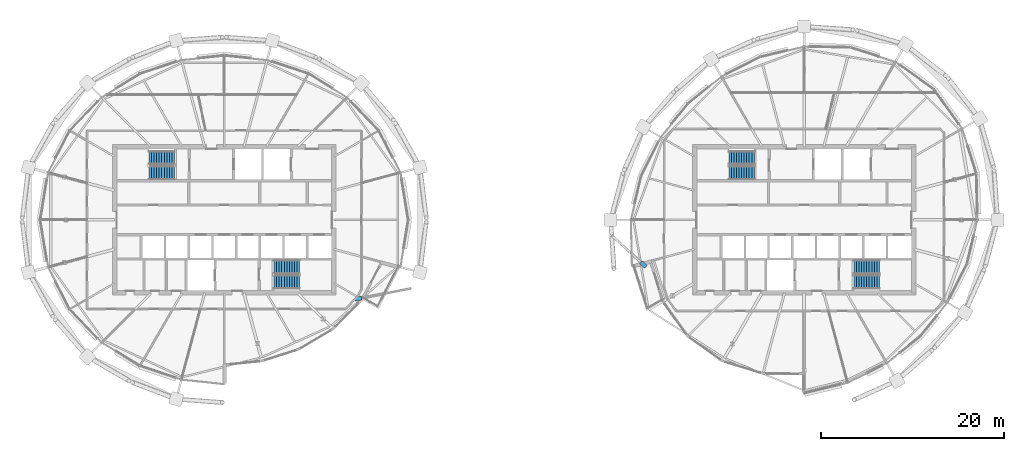
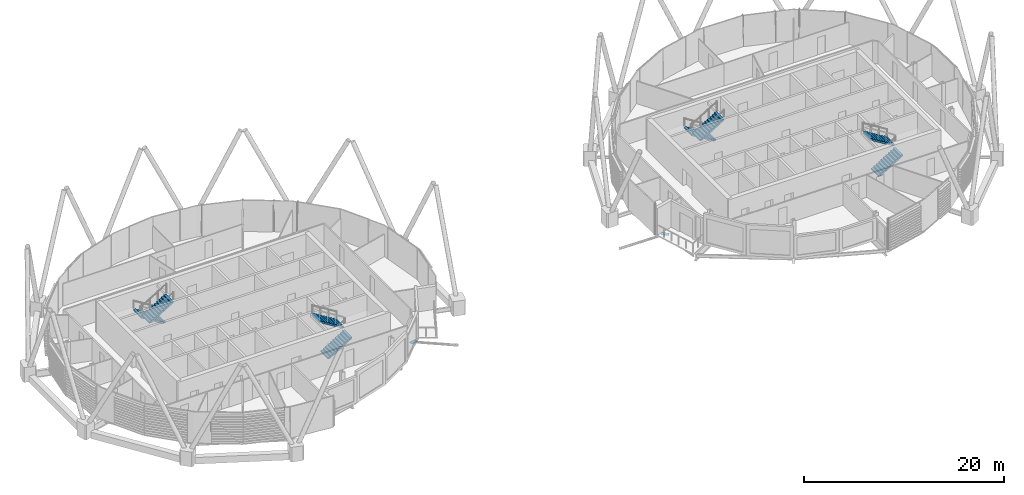
# One storey, part 24 of 31: 8 stair flights, 2 discrete accessories, 4 elements without a shape of their own.
"""IFC4 building model written with IfcOpenShell, lengths in metres."""

from ifc_helpers import new_model, si_unit, direction, frame, origin, origin_2d, place, context, subcontext, project, spatial, polyline, rectangle, outline, extrude, material, material_profile, profile_set, type_object, element, aggregate, save


model = new_model("IFC4")

# Units and contexts
model_context = context("Model", 3, precision=1e-05, world=origin(), true_north=direction((0.0, 1.0)))
body_context = subcontext(model_context, "Body", "Model", "MODEL_VIEW")
ifc_project = project(units=[si_unit("LENGTHUNIT", "METRE"), si_unit("AREAUNIT", "SQUARE_METRE"), si_unit("VOLUMEUNIT", "CUBIC_METRE"), si_unit("PLANEANGLEUNIT", "RADIAN"), si_unit("MASSUNIT", "GRAM", prefix="KILO")], contexts=[model_context])

# Site, building, storey
site_placement = place(None, origin())
site = spatial("IfcSite", under=ifc_project, at=site_placement, CompositionType="ELEMENT")
building_placement = place(site_placement, origin())
building = spatial("IfcBuilding", under=site, at=building_placement, Name="Rimbun Link Towers", CompositionType="ELEMENT")
storey_placement = place(building_placement, frame((0.0, 0.0, 244.699951171875)))
storey = spatial("IfcBuildingStorey", under=building, at=storey_placement, Name="L60", CompositionType="ELEMENT", Elevation=244.699951171875)

# Stair, stair flights
ifc_material_1 = material(Name="Concrete C40/50", Category="concrete")
stair_type = type_object("IfcStairType", Name="Exit stair 3800 rise", PredefinedType="HALF_TURN_STAIR", material=ifc_material_1)
stair_1_placement = place(storey_placement, origin())
stair_1 = element("IfcStair", 1, at=stair_1_placement, inside=storey, type_object=stair_type, Name="L60 EXIT STAIR A", PredefinedType="HALF_TURN_STAIR")
ifc_material_2 = material(Name="Concrete C40/50", Category="concrete")
stair_flight_type = type_object("IfcStairFlightType", Name="Exit stair flight 3800 rise", PredefinedType="STRAIGHT", material=ifc_material_2)
stair_flight_1_placement = place(storey_placement, frame((-37.199951171875, 6.800048828125, 0.0), z_axis=(0.0, 0.0, 1.0), x_axis=(-1.0, 0.0, 0.0)))
stair_flight_1 = element("IfcStairFlight", 2, at=stair_flight_1_placement, type_object=stair_flight_type, Name="ST1 flight 1", NumberOfRisers=11, NumberOfTreads=10, PredefinedType="STRAIGHT", RiserHeight=0.172727273, TreadLength=0.28, context=body_context, shape_type="SweptSolid", body=[
    extrude(outline(polyline([(0.0, 0.0), (0.0, 0.172607421875), (0.280029296875, 0.172607421875), (0.280029296875, 0.345458984375), (0.56005859375, 0.345458984375), (0.56005859375, 0.51806640625), (0.840087890625, 0.51806640625), (0.840087890625, 0.69091796875), (1.1201171875, 0.69091796875), (1.1201171875, 0.863525390625), (1.39990234375, 0.863525390625), (1.39990234375, 1.036376953125), (1.679931640625, 1.036376953125), (1.679931640625, 1.208984375), (1.9599609375, 1.208984375), (1.9599609375, 1.3818359375), (2.239990234375, 1.3818359375), (2.239990234375, 1.554443359375), (2.52001953125, 1.554443359375), (2.52001953125, 1.727294921875), (2.800048828125, 1.727294921875), (2.800048828125, 1.89990234375), (2.800048828125, 1.551025390625), (0.280029296875, 0.0), (0.0, 0.0)])), frame((0.0, 0.75, 0.0), z_axis=(0.0, -1.0, 0.0), x_axis=(1.0, 0.0, 0.0)), (0.0, 0.0, 1.0), 1.5),
])
stair_flight_2_placement = place(storey_placement, frame((-40.0, 5.14990234375, 1.900146484375), z_axis=(0.0, 0.0, 1.0), x_axis=(1.0, 0.0, 0.0)))
stair_flight_2 = element("IfcStairFlight", 3, at=stair_flight_2_placement, type_object=stair_flight_type, Name="ST1 flight 2", NumberOfRisers=11, NumberOfTreads=10, PredefinedType="STRAIGHT", RiserHeight=0.172727273, TreadLength=0.28, context=body_context, shape_type="SweptSolid", body=[
    extrude(outline(polyline([(0.0, 0.0), (0.0, 0.172607421875), (0.280029296875, 0.172607421875), (0.280029296875, 0.345458984375), (0.56005859375, 0.345458984375), (0.56005859375, 0.51806640625), (0.840087890625, 0.51806640625), (0.840087890625, 0.69091796875), (1.1201171875, 0.69091796875), (1.1201171875, 0.863525390625), (1.39990234375, 0.863525390625), (1.39990234375, 1.036376953125), (1.679931640625, 1.036376953125), (1.679931640625, 1.208984375), (1.9599609375, 1.208984375), (1.9599609375, 1.3818359375), (2.239990234375, 1.3818359375), (2.239990234375, 1.554443359375), (2.52001953125, 1.554443359375), (2.52001953125, 1.727294921875), (2.800048828125, 1.727294921875), (2.800048828125, 1.89990234375), (2.800048828125, 1.551025390625), (0.280029296875, 0.0), (0.0, 0.0)])), frame((0.0, 0.75, 0.0), z_axis=(0.0, -1.0, 0.0), x_axis=(1.0, 0.0, 0.0)), (0.0, 0.0, 1.0), 1.5),
])
aggregate(stair_1, [stair_flight_1, stair_flight_2])

stair_2_placement = place(storey_placement, origin())
stair_2 = element("IfcStair", 4, at=stair_2_placement, inside=storey, type_object=stair_type, Name="L60 EXIT STAIR B", PredefinedType="HALF_TURN_STAIR")
stair_flight_3_placement = place(storey_placement, frame((-26.300048828125, -6.800048828125, 0.0), z_axis=(0.0, 0.0, 1.0), x_axis=(1.0, 0.0, 0.0)))
stair_flight_3 = element("IfcStairFlight", 5, at=stair_flight_3_placement, type_object=stair_flight_type, Name="ST2 flight 1", NumberOfRisers=11, NumberOfTreads=10, PredefinedType="STRAIGHT", RiserHeight=0.172727273, TreadLength=0.28, context=body_context, shape_type="SweptSolid", body=[
    extrude(outline(polyline([(0.0, 0.0), (0.0, 0.172607421875), (0.280029296875, 0.172607421875), (0.280029296875, 0.345458984375), (0.56005859375, 0.345458984375), (0.56005859375, 0.51806640625), (0.840087890625, 0.51806640625), (0.840087890625, 0.69091796875), (1.1201171875, 0.69091796875), (1.1201171875, 0.863525390625), (1.39990234375, 0.863525390625), (1.39990234375, 1.036376953125), (1.679931640625, 1.036376953125), (1.679931640625, 1.208984375), (1.9599609375, 1.208984375), (1.9599609375, 1.3818359375), (2.239990234375, 1.3818359375), (2.239990234375, 1.554443359375), (2.52001953125, 1.554443359375), (2.52001953125, 1.727294921875), (2.800048828125, 1.727294921875), (2.800048828125, 1.89990234375), (2.800048828125, 1.551025390625), (0.280029296875, 0.0), (0.0, 0.0)])), frame((0.0, 0.75, 0.0), z_axis=(0.0, -1.0, 0.0), x_axis=(1.0, 0.0, 0.0)), (0.0, 0.0, 1.0), 1.5),
])
stair_flight_4_placement = place(storey_placement, frame((-23.5, -5.14990234375, 1.900146484375), z_axis=(0.0, 0.0, 1.0), x_axis=(-1.0, 0.0, 0.0)))
stair_flight_4 = element("IfcStairFlight", 6, at=stair_flight_4_placement, type_object=stair_flight_type, Name="ST2 flight 2", NumberOfRisers=11, NumberOfTreads=10, PredefinedType="STRAIGHT", RiserHeight=0.172727273, TreadLength=0.28, context=body_context, shape_type="SweptSolid", body=[
    extrude(outline(polyline([(0.0, 0.0), (0.0, 0.172607421875), (0.280029296875, 0.172607421875), (0.280029296875, 0.345458984375), (0.56005859375, 0.345458984375), (0.56005859375, 0.51806640625), (0.840087890625, 0.51806640625), (0.840087890625, 0.69091796875), (1.1201171875, 0.69091796875), (1.1201171875, 0.863525390625), (1.39990234375, 0.863525390625), (1.39990234375, 1.036376953125), (1.679931640625, 1.036376953125), (1.679931640625, 1.208984375), (1.9599609375, 1.208984375), (1.9599609375, 1.3818359375), (2.239990234375, 1.3818359375), (2.239990234375, 1.554443359375), (2.52001953125, 1.554443359375), (2.52001953125, 1.727294921875), (2.800048828125, 1.727294921875), (2.800048828125, 1.89990234375), (2.800048828125, 1.551025390625), (0.280029296875, 0.0), (0.0, 0.0)])), frame((0.0, 0.75, 0.0), z_axis=(0.0, -1.0, 0.0), x_axis=(1.0, 0.0, 0.0)), (0.0, 0.0, 1.0), 1.5),
])
aggregate(stair_2, [stair_flight_3, stair_flight_4])

stair_3_placement = place(storey_placement, origin())
stair_3 = element("IfcStair", 7, at=stair_3_placement, inside=storey, type_object=stair_type, Name="L60 EXIT STAIR A", PredefinedType="HALF_TURN_STAIR")
stair_flight_5_placement = place(storey_placement, frame((26.300048828125, 6.800048828125, 0.0), z_axis=(0.0, 0.0, 1.0), x_axis=(-1.0, 0.0, 0.0)))
stair_flight_5 = element("IfcStairFlight", 8, at=stair_flight_5_placement, type_object=stair_flight_type, Name="ST3 flight 1", NumberOfRisers=11, NumberOfTreads=10, PredefinedType="STRAIGHT", RiserHeight=0.172727273, TreadLength=0.28, context=body_context, shape_type="SweptSolid", body=[
    extrude(outline(polyline([(0.0, 0.0), (0.0, 0.172607421875), (0.280029296875, 0.172607421875), (0.280029296875, 0.345458984375), (0.56005859375, 0.345458984375), (0.56005859375, 0.51806640625), (0.840087890625, 0.51806640625), (0.840087890625, 0.69091796875), (1.1201171875, 0.69091796875), (1.1201171875, 0.863525390625), (1.39990234375, 0.863525390625), (1.39990234375, 1.036376953125), (1.679931640625, 1.036376953125), (1.679931640625, 1.208984375), (1.9599609375, 1.208984375), (1.9599609375, 1.3818359375), (2.239990234375, 1.3818359375), (2.239990234375, 1.554443359375), (2.52001953125, 1.554443359375), (2.52001953125, 1.727294921875), (2.800048828125, 1.727294921875), (2.800048828125, 1.89990234375), (2.800048828125, 1.551025390625), (0.280029296875, 0.0), (0.0, 0.0)])), frame((0.0, 0.75, 0.0), z_axis=(0.0, -1.0, 0.0), x_axis=(1.0, 0.0, 0.0)), (0.0, 0.0, 1.0), 1.5),
])
stair_flight_6_placement = place(storey_placement, frame((23.5, 5.14990234375, 1.900146484375), z_axis=(0.0, 0.0, 1.0), x_axis=(1.0, 0.0, 0.0)))
stair_flight_6 = element("IfcStairFlight", 9, at=stair_flight_6_placement, type_object=stair_flight_type, Name="ST3 flight 2", NumberOfRisers=11, NumberOfTreads=10, PredefinedType="STRAIGHT", RiserHeight=0.172727273, TreadLength=0.28, context=body_context, shape_type="SweptSolid", body=[
    extrude(outline(polyline([(0.0, 0.0), (0.0, 0.172607421875), (0.280029296875, 0.172607421875), (0.280029296875, 0.345458984375), (0.56005859375, 0.345458984375), (0.56005859375, 0.51806640625), (0.840087890625, 0.51806640625), (0.840087890625, 0.69091796875), (1.1201171875, 0.69091796875), (1.1201171875, 0.863525390625), (1.39990234375, 0.863525390625), (1.39990234375, 1.036376953125), (1.679931640625, 1.036376953125), (1.679931640625, 1.208984375), (1.9599609375, 1.208984375), (1.9599609375, 1.3818359375), (2.239990234375, 1.3818359375), (2.239990234375, 1.554443359375), (2.52001953125, 1.554443359375), (2.52001953125, 1.727294921875), (2.800048828125, 1.727294921875), (2.800048828125, 1.89990234375), (2.800048828125, 1.551025390625), (0.280029296875, 0.0), (0.0, 0.0)])), frame((0.0, 0.75, 0.0), z_axis=(0.0, -1.0, 0.0), x_axis=(1.0, 0.0, 0.0)), (0.0, 0.0, 1.0), 1.5),
])
aggregate(stair_3, [stair_flight_5, stair_flight_6])

stair_4_placement = place(storey_placement, origin())
stair_4 = element("IfcStair", 10, at=stair_4_placement, inside=storey, type_object=stair_type, Name="L60 EXIT STAIR B", PredefinedType="HALF_TURN_STAIR")
stair_flight_7_placement = place(storey_placement, frame((37.199951171875, -6.800048828125, 0.0), z_axis=(0.0, 0.0, 1.0), x_axis=(1.0, 0.0, 0.0)))
stair_flight_7 = element("IfcStairFlight", 11, at=stair_flight_7_placement, type_object=stair_flight_type, Name="ST4 flight 1", NumberOfRisers=11, NumberOfTreads=10, PredefinedType="STRAIGHT", RiserHeight=0.172727273, TreadLength=0.28, context=body_context, shape_type="SweptSolid", body=[
    extrude(outline(polyline([(0.0, 0.0), (0.0, 0.172607421875), (0.280029296875, 0.172607421875), (0.280029296875, 0.345458984375), (0.56005859375, 0.345458984375), (0.56005859375, 0.51806640625), (0.840087890625, 0.51806640625), (0.840087890625, 0.69091796875), (1.1201171875, 0.69091796875), (1.1201171875, 0.863525390625), (1.39990234375, 0.863525390625), (1.39990234375, 1.036376953125), (1.679931640625, 1.036376953125), (1.679931640625, 1.208984375), (1.9599609375, 1.208984375), (1.9599609375, 1.3818359375), (2.239990234375, 1.3818359375), (2.239990234375, 1.554443359375), (2.52001953125, 1.554443359375), (2.52001953125, 1.727294921875), (2.800048828125, 1.727294921875), (2.800048828125, 1.89990234375), (2.800048828125, 1.551025390625), (0.280029296875, 0.0), (0.0, 0.0)])), frame((0.0, 0.75, 0.0), z_axis=(0.0, -1.0, 0.0), x_axis=(1.0, 0.0, 0.0)), (0.0, 0.0, 1.0), 1.5),
])
stair_flight_8_placement = place(storey_placement, frame((40.0, -5.14990234375, 1.900146484375), z_axis=(0.0, 0.0, 1.0), x_axis=(-1.0, 0.0, 0.0)))
stair_flight_8 = element("IfcStairFlight", 12, at=stair_flight_8_placement, type_object=stair_flight_type, Name="ST4 flight 2", NumberOfRisers=11, NumberOfTreads=10, PredefinedType="STRAIGHT", RiserHeight=0.172727273, TreadLength=0.28, context=body_context, shape_type="SweptSolid", body=[
    extrude(outline(polyline([(0.0, 0.0), (0.0, 0.172607421875), (0.280029296875, 0.172607421875), (0.280029296875, 0.345458984375), (0.56005859375, 0.345458984375), (0.56005859375, 0.51806640625), (0.840087890625, 0.51806640625), (0.840087890625, 0.69091796875), (1.1201171875, 0.69091796875), (1.1201171875, 0.863525390625), (1.39990234375, 0.863525390625), (1.39990234375, 1.036376953125), (1.679931640625, 1.036376953125), (1.679931640625, 1.208984375), (1.9599609375, 1.208984375), (1.9599609375, 1.3818359375), (2.239990234375, 1.3818359375), (2.239990234375, 1.554443359375), (2.52001953125, 1.554443359375), (2.52001953125, 1.727294921875), (2.800048828125, 1.727294921875), (2.800048828125, 1.89990234375), (2.800048828125, 1.551025390625), (0.280029296875, 0.0), (0.0, 0.0)])), frame((0.0, 0.75, 0.0), z_axis=(0.0, -1.0, 0.0), x_axis=(1.0, 0.0, 0.0)), (0.0, 0.0, 1.0), 1.5),
])
aggregate(stair_4, [stair_flight_7, stair_flight_8])

# Discrete accessories
ifc_material_3 = material(Name="Steel S355J2H", Category="steel")
ifc_material_profile = material_profile(ifc_material_3, rectangle(XDim=0.43310546875, YDim=0.43310546875, at=origin_2d()), Name="PL 433x433")
ifc_profile_set = profile_set([ifc_material_profile], Name="Steel S355J2H")
discrete_accessory_type = type_object("IfcDiscreteAccessoryType", Name="Link head end plate 433X20", PredefinedType="BRACKET", material=ifc_profile_set)
discrete_accessory_1_placement = place(storey_placement, frame((0.0, 0.0, -0.46337890625)))
element("IfcDiscreteAccessory", 13, at=discrete_accessory_1_placement, inside=storey, type_object=discrete_accessory_type, Name="Link head end plate T1 L60 22", PredefinedType="BRACKET", context=body_context, shape_type="SweptSolid", body=[
    extrude(outline(polyline([(-17.37939453125, -8.9130859375), (-16.64990234375, -8.77001953125), (-16.7333984375, -8.344970703125), (-17.462890625, -8.48828125), (-17.37939453125, -8.9130859375)])), origin(), (0.0, 0.0, 1.0), 0.02001953125),
])
discrete_accessory_2_placement = place(storey_placement, frame((0.0, 0.0, -0.514892578125)))
element("IfcDiscreteAccessory", 14, at=discrete_accessory_2_placement, inside=storey, type_object=discrete_accessory_type, Name="Link head end plate T2 L60 10", PredefinedType="BRACKET", context=body_context, shape_type="SweptSolid", body=[
    extrude(outline(polyline([(14.560791015625, -4.977783203125), (14.014404296875, -4.474609375), (13.720947265625, -4.793212890625), (14.267578125, -5.296142578125), (14.560791015625, -4.977783203125)])), origin(), (0.0, 0.0, 1.0), 0.02001953125),
])

save(model, "model.ifc")
